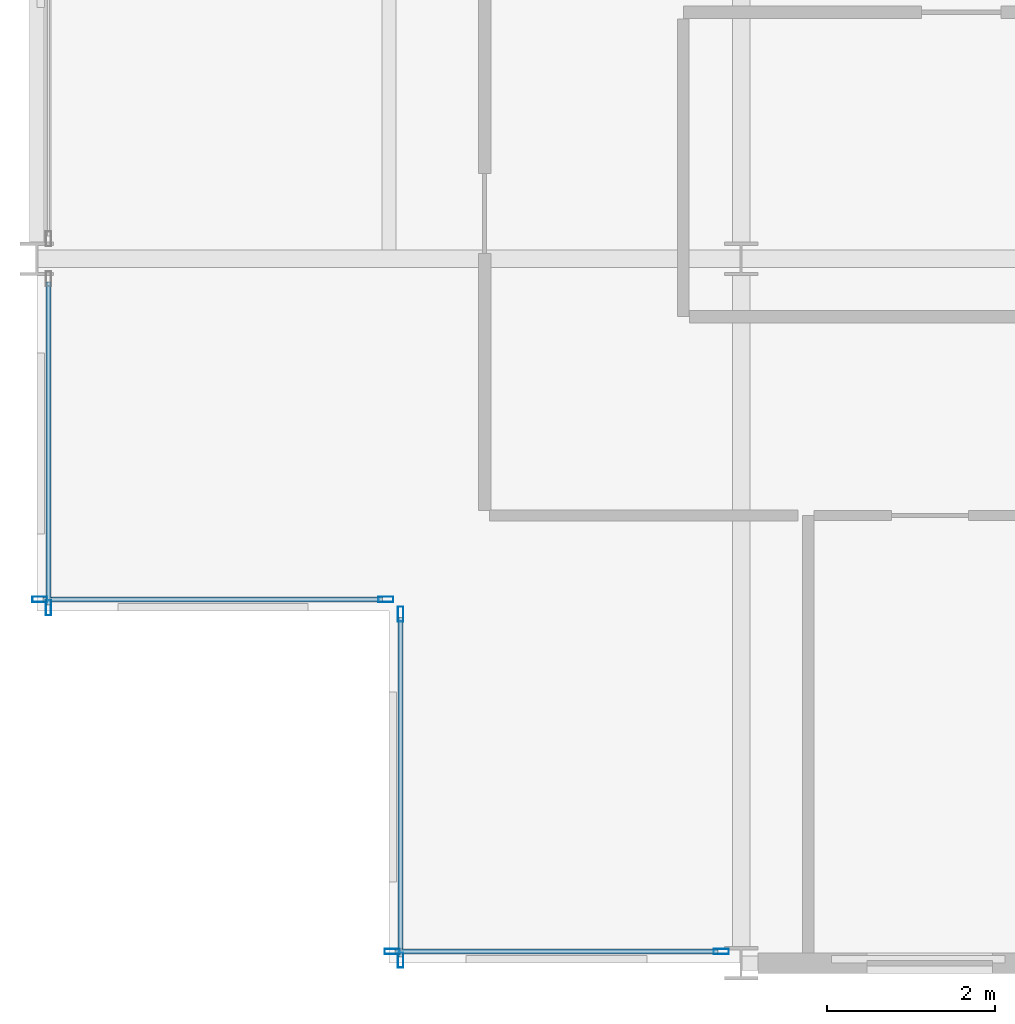
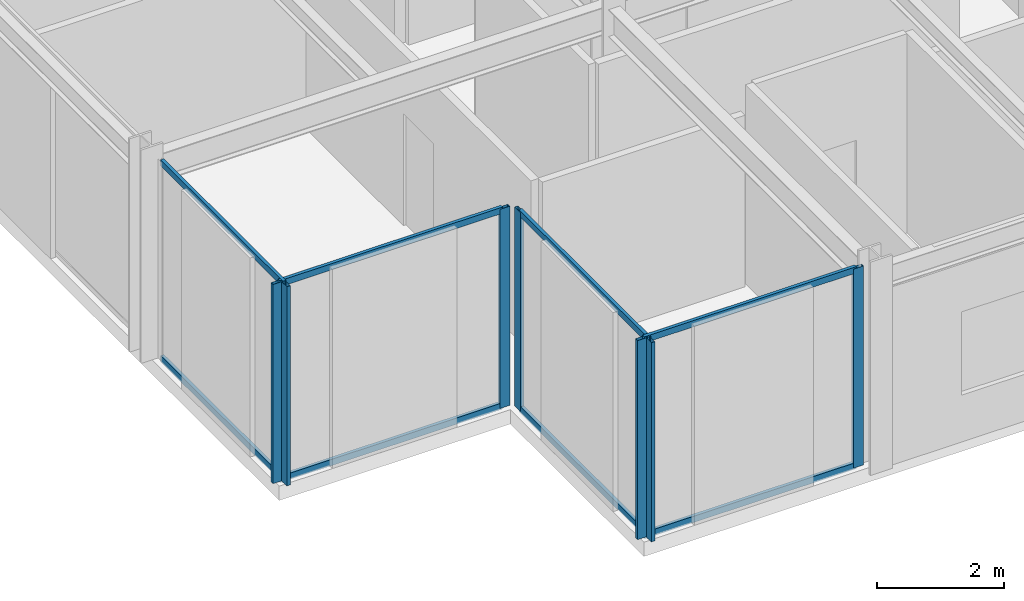
# One storey, part 4 of 38: 15 members, 4 elements without a shape of their own.
"""IFC4 building model written with IfcOpenShell, lengths in metres."""

from ifc_helpers import new_model, si_unit, direction, frame, origin, origin_2d, place, context, subcontext, project, spatial, hollow_rectangle, extrude, material, layer, layer_set, material_profile, profile_set, type_object, element, aggregate, save


model = new_model("IFC4")

# Units and contexts
model_context = context("Model", 3, precision=1e-05, world=origin(), true_north=direction((0.0, 1.0)))
body_context = subcontext(model_context, "Body", "Model", "MODEL_VIEW")
ifc_project = project(units=[si_unit("LENGTHUNIT", "METRE"), si_unit("AREAUNIT", "SQUARE_METRE"), si_unit("VOLUMEUNIT", "CUBIC_METRE"), si_unit("PLANEANGLEUNIT", "RADIAN"), si_unit("MASSUNIT", "GRAM", prefix="KILO")], contexts=[model_context])

# Site, building, storey
site_placement = place(None, origin())
site = spatial("IfcSite", under=ifc_project, at=site_placement, CompositionType="ELEMENT")
building_placement = place(site_placement, origin())
building = spatial("IfcBuilding", under=site, at=building_placement, Name="Nerrivon Quay Data Exchange", CompositionType="ELEMENT")
storey_placement = place(building_placement, frame((0.0, 0.0, 100.800048828125)))
storey = spatial("IfcBuildingStorey", under=building, at=storey_placement, Name="L23", CompositionType="ELEMENT", Elevation=100.800048828125)

# Curtain wall, members
ifc_material = material(Name="Anodised aluminium 6063-T6", Category="aluminium")
ifc_layer = layer(ifc_material, 0.2099609375)
ifc_layer_set = layer_set([ifc_layer], Name="Anodised aluminium 6063-T6")
curtain_wall_type = type_object("IfcCurtainWallType", Name="CW-SYS-02", PredefinedType="NOTDEFINED", material=ifc_layer_set)
curtain_wall_1_placement = place(storey_placement, origin())
curtain_wall_1 = element("IfcCurtainWall", 1, at=curtain_wall_1_placement, inside=storey, type_object=curtain_wall_type, Name="L23 Unitised Curtain Wall 14", PredefinedType="NOTDEFINED")
ifc_material_profile_1 = material_profile(ifc_material, hollow_rectangle(XDim=0.06494140625, YDim=0.179931640625, WallThickness=0.00341796875, at=origin_2d()), Name="ALU-MULL-180x65")
ifc_profile_set_1 = profile_set([ifc_material_profile_1], Name="Anodised aluminium 6063-T6")
member_type_1 = type_object("IfcMemberType", Name="CWM-180x65", PredefinedType="MULLION", material=ifc_profile_set_1)
member_1_placement = place(storey_placement, frame((8.16259765625, 0.139892578125, 0.0), z_axis=(0.0, 0.0, 1.0), x_axis=(0.0, -1.0, 0.0)))
member_1 = element("IfcMember", 2, at=member_1_placement, type_object=member_type_1, Name="CW02 mullion 1", PredefinedType="MULLION", context=body_context, shape_type="SweptSolid", body=[
    extrude(hollow_rectangle(XDim=0.06494140625, YDim=0.179931640625, WallThickness=0.00341796875, at=origin_2d()), origin(), (0.0, 0.0, 1.0), 3.824951171875),
])
member_2_placement = place(storey_placement, frame((4.237548828125, 0.139892578125, 0.0), z_axis=(0.0, 0.0, 1.0), x_axis=(0.0, -1.0, 0.0)))
member_2 = element("IfcMember", 3, at=member_2_placement, type_object=member_type_1, Name="CW02 mullion 2", PredefinedType="MULLION", context=body_context, shape_type="SweptSolid", body=[
    extrude(hollow_rectangle(XDim=0.06494140625, YDim=0.179931640625, WallThickness=0.00341796875, at=origin_2d()), origin(), (0.0, 0.0, 1.0), 3.824951171875),
])

curtain_wall_2_placement = place(storey_placement, origin())
curtain_wall_2 = element("IfcCurtainWall", 4, at=curtain_wall_2_placement, inside=storey, type_object=curtain_wall_type, Name="L23 Unitised Curtain Wall 15", PredefinedType="NOTDEFINED")
member_3_placement = place(storey_placement, frame((4.340087890625, 0.03759765625, 0.0), z_axis=(0.0, 0.0, 1.0), x_axis=(-1.0, 0.0, 0.0)))
member_3 = element("IfcMember", 5, at=member_3_placement, type_object=member_type_1, Name="CW02 mullion 1", PredefinedType="MULLION", context=body_context, shape_type="SweptSolid", body=[
    extrude(hollow_rectangle(XDim=0.06494140625, YDim=0.179931640625, WallThickness=0.00341796875, at=origin_2d()), origin(), (0.0, 0.0, 1.0), 3.824951171875),
])
member_4_placement = place(storey_placement, frame((4.340087890625, 4.16259765625, 0.0), z_axis=(0.0, 0.0, 1.0), x_axis=(-1.0, 0.0, 0.0)))
member_4 = element("IfcMember", 6, at=member_4_placement, type_object=member_type_1, Name="CW02 mullion 2", PredefinedType="MULLION", context=body_context, shape_type="SweptSolid", body=[
    extrude(hollow_rectangle(XDim=0.06494140625, YDim=0.179931640625, WallThickness=0.00341796875, at=origin_2d()), origin(), (0.0, 0.0, 1.0), 3.824951171875),
])

curtain_wall_3_placement = place(storey_placement, origin())
curtain_wall_3 = element("IfcCurtainWall", 7, at=curtain_wall_3_placement, inside=storey, type_object=curtain_wall_type, Name="L23 Unitised Curtain Wall 16", PredefinedType="NOTDEFINED")
member_5_placement = place(storey_placement, frame((4.16259765625, 4.340087890625, 0.0), z_axis=(0.0, 0.0, 1.0), x_axis=(0.0, -1.0, 0.0)))
member_5 = element("IfcMember", 8, at=member_5_placement, type_object=member_type_1, Name="CW02 mullion 1", PredefinedType="MULLION", context=body_context, shape_type="SweptSolid", body=[
    extrude(hollow_rectangle(XDim=0.06494140625, YDim=0.179931640625, WallThickness=0.00341796875, at=origin_2d()), origin(), (0.0, 0.0, 1.0), 3.824951171875),
])
member_6_placement = place(storey_placement, frame((0.03759765625, 4.340087890625, 0.0), z_axis=(0.0, 0.0, 1.0), x_axis=(0.0, -1.0, 0.0)))
member_6 = element("IfcMember", 9, at=member_6_placement, type_object=member_type_1, Name="CW02 mullion 2", PredefinedType="MULLION", context=body_context, shape_type="SweptSolid", body=[
    extrude(hollow_rectangle(XDim=0.06494140625, YDim=0.179931640625, WallThickness=0.00341796875, at=origin_2d()), origin(), (0.0, 0.0, 1.0), 3.824951171875),
])

# Curtain wall, member
curtain_wall_4_placement = place(storey_placement, origin())
curtain_wall_4 = element("IfcCurtainWall", 10, at=curtain_wall_4_placement, inside=storey, type_object=curtain_wall_type, Name="L23 Unitised Curtain Wall 17", PredefinedType="NOTDEFINED")
member_7_placement = place(storey_placement, frame((0.139892578125, 4.237548828125, 0.0), z_axis=(0.0, 0.0, 1.0), x_axis=(-1.0, 0.0, 0.0)))
member_7 = element("IfcMember", 11, at=member_7_placement, type_object=member_type_1, Name="CW02 mullion 1", PredefinedType="MULLION", context=body_context, shape_type="SweptSolid", body=[
    extrude(hollow_rectangle(XDim=0.06494140625, YDim=0.179931640625, WallThickness=0.00341796875, at=origin_2d()), origin(), (0.0, 0.0, 1.0), 3.824951171875),
])

# Member
ifc_material_profile_2 = material_profile(ifc_material, hollow_rectangle(XDim=0.06005859375, YDim=0.1201171875, WallThickness=0.003173828125, at=origin_2d()), Name="ALU-TRAN-120x60")
ifc_profile_set_2 = profile_set([ifc_material_profile_2], Name="Anodised aluminium 6063-T6")
member_type_2 = type_object("IfcMemberType", Name="CWT-120x60", PredefinedType="USERDEFINED", material=ifc_profile_set_2)
member_8_placement = place(storey_placement, frame((8.125, 0.139892578125, 0.032470703125), z_axis=(-1.0, 0.0, 0.0), x_axis=(0.0, -1.0, 0.0)))
member_8 = element("IfcMember", 12, at=member_8_placement, type_object=member_type_2, Name="CW02 transom 1.1", ObjectType="TRANSOM", PredefinedType="USERDEFINED", context=body_context, shape_type="SweptSolid", body=[
    extrude(hollow_rectangle(XDim=0.06005859375, YDim=0.1201171875, WallThickness=0.003173828125, at=origin_2d()), origin(), (0.0, 0.0, 1.0), 3.85009765625),
])

member_9_placement = place(storey_placement, frame((8.125, 0.139892578125, 3.79248046875), z_axis=(-1.0, 0.0, 0.0), x_axis=(0.0, -1.0, 0.0)))
member_9 = element("IfcMember", 13, at=member_9_placement, type_object=member_type_2, Name="CW02 transom 1.2", ObjectType="TRANSOM", PredefinedType="USERDEFINED", context=body_context, shape_type="SweptSolid", body=[
    extrude(hollow_rectangle(XDim=0.06005859375, YDim=0.1201171875, WallThickness=0.003173828125, at=origin_2d()), origin(), (0.0, 0.0, 1.0), 3.85009765625),
])

aggregate(curtain_wall_1, [member_1, member_2, member_8, member_9])

member_10_placement = place(storey_placement, frame((4.340087890625, 0.074951171875, 0.032470703125), z_axis=(0.0, 1.0, 0.0), x_axis=(-1.0, 0.0, 0.0)))
member_10 = element("IfcMember", 14, at=member_10_placement, type_object=member_type_2, Name="CW02 transom 1.1", ObjectType="TRANSOM", PredefinedType="USERDEFINED", context=body_context, shape_type="SweptSolid", body=[
    extrude(hollow_rectangle(XDim=0.06005859375, YDim=0.1201171875, WallThickness=0.003173828125, at=origin_2d()), origin(), (0.0, 0.0, 1.0), 4.050048828125),
])

member_11_placement = place(storey_placement, frame((4.340087890625, 0.074951171875, 3.79248046875), z_axis=(0.0, 1.0, 0.0), x_axis=(-1.0, 0.0, 0.0)))
member_11 = element("IfcMember", 15, at=member_11_placement, type_object=member_type_2, Name="CW02 transom 1.2", ObjectType="TRANSOM", PredefinedType="USERDEFINED", context=body_context, shape_type="SweptSolid", body=[
    extrude(hollow_rectangle(XDim=0.06005859375, YDim=0.1201171875, WallThickness=0.003173828125, at=origin_2d()), origin(), (0.0, 0.0, 1.0), 4.050048828125),
])

aggregate(curtain_wall_2, [member_3, member_4, member_10, member_11])

member_12_placement = place(storey_placement, frame((4.125, 4.340087890625, 0.032470703125), z_axis=(-1.0, 0.0, 0.0), x_axis=(0.0, -1.0, 0.0)))
member_12 = element("IfcMember", 16, at=member_12_placement, type_object=member_type_2, Name="CW02 transom 1.1", ObjectType="TRANSOM", PredefinedType="USERDEFINED", context=body_context, shape_type="SweptSolid", body=[
    extrude(hollow_rectangle(XDim=0.06005859375, YDim=0.1201171875, WallThickness=0.003173828125, at=origin_2d()), origin(), (0.0, 0.0, 1.0), 4.050048828125),
])

member_13_placement = place(storey_placement, frame((4.125, 4.340087890625, 3.79248046875), z_axis=(-1.0, 0.0, 0.0), x_axis=(0.0, -1.0, 0.0)))
member_13 = element("IfcMember", 17, at=member_13_placement, type_object=member_type_2, Name="CW02 transom 1.2", ObjectType="TRANSOM", PredefinedType="USERDEFINED", context=body_context, shape_type="SweptSolid", body=[
    extrude(hollow_rectangle(XDim=0.06005859375, YDim=0.1201171875, WallThickness=0.003173828125, at=origin_2d()), origin(), (0.0, 0.0, 1.0), 4.050048828125),
])

aggregate(curtain_wall_3, [member_5, member_6, member_12, member_13])

member_14_placement = place(storey_placement, frame((0.139892578125, 4.27490234375, 0.032470703125), z_axis=(0.0, 1.0, 0.0), x_axis=(-1.0, 0.0, 0.0)))
member_14 = element("IfcMember", 18, at=member_14_placement, type_object=member_type_2, Name="CW02 transom 1.1", ObjectType="TRANSOM", PredefinedType="USERDEFINED", context=body_context, shape_type="SweptSolid", body=[
    extrude(hollow_rectangle(XDim=0.06005859375, YDim=0.1201171875, WallThickness=0.003173828125, at=origin_2d()), origin(), (0.0, 0.0, 1.0), 3.85009765625),
])

member_15_placement = place(storey_placement, frame((0.139892578125, 4.27490234375, 3.79248046875), z_axis=(0.0, 1.0, 0.0), x_axis=(-1.0, 0.0, 0.0)))
member_15 = element("IfcMember", 19, at=member_15_placement, type_object=member_type_2, Name="CW02 transom 1.2", ObjectType="TRANSOM", PredefinedType="USERDEFINED", context=body_context, shape_type="SweptSolid", body=[
    extrude(hollow_rectangle(XDim=0.06005859375, YDim=0.1201171875, WallThickness=0.003173828125, at=origin_2d()), origin(), (0.0, 0.0, 1.0), 3.85009765625),
])

aggregate(curtain_wall_4, [member_7, member_14, member_15])

save(model, "model.ifc")
